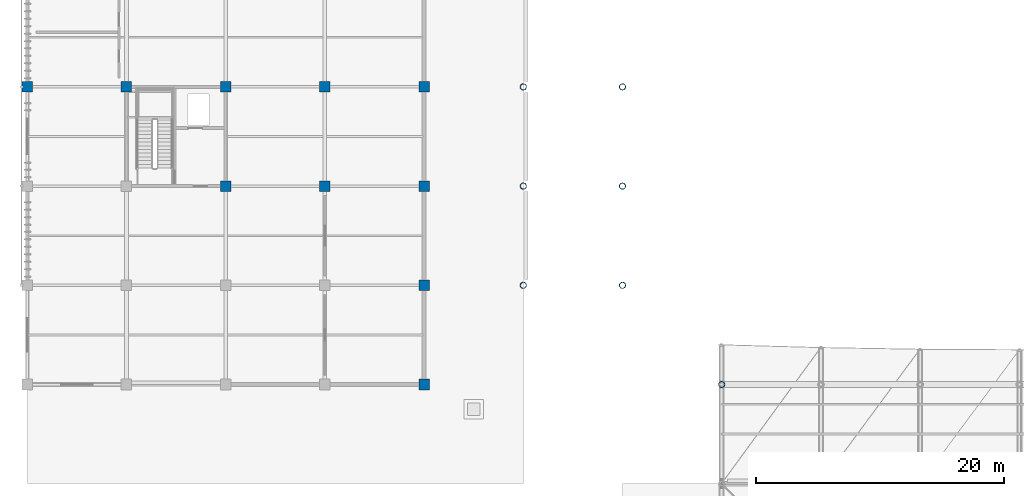
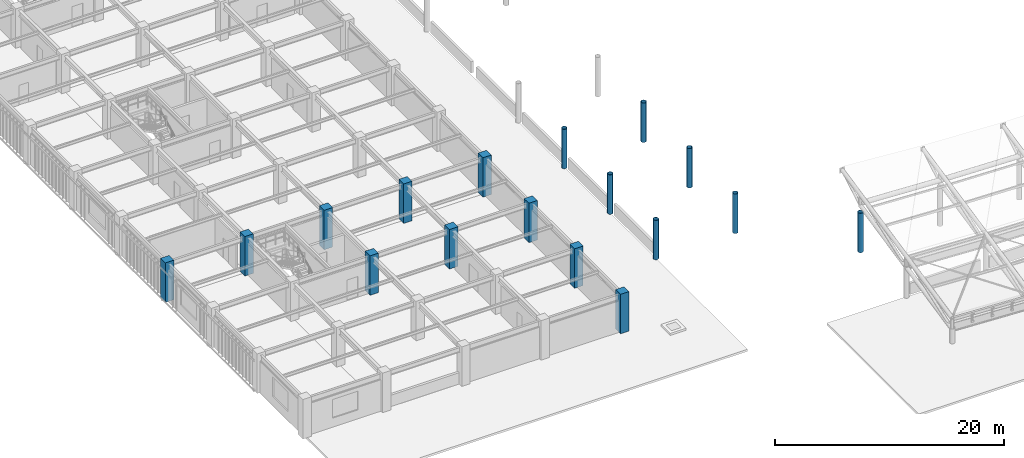
# One storey, part 2 of 78: 17 columns.
"""IFC4 building model written with IfcOpenShell, lengths in metres."""

from ifc_helpers import new_model, si_unit, direction, frame, origin, origin_2d, place, context, subcontext, project, spatial, rectangle, hollow_circle, extrude, material, material_profile, profile_set, type_object, element, save


model = new_model("IFC4")

# Units and contexts
model_context = context("Model", 3, precision=1e-05, world=origin(), true_north=direction((0.0, 1.0)))
body_context = subcontext(model_context, "Body", "Model", "MODEL_VIEW")
ifc_project = project(units=[si_unit("LENGTHUNIT", "METRE"), si_unit("AREAUNIT", "SQUARE_METRE"), si_unit("VOLUMEUNIT", "CUBIC_METRE"), si_unit("PLANEANGLEUNIT", "RADIAN"), si_unit("MASSUNIT", "GRAM", prefix="KILO")], contexts=[model_context])

# Site, building, storey
site_placement = place(None, origin())
site = spatial("IfcSite", under=ifc_project, at=site_placement, CompositionType="ELEMENT")
building_placement = place(site_placement, origin())
building = spatial("IfcBuilding", under=site, at=building_placement, Name="Haebicheon Civic Stadium", CompositionType="ELEMENT")
storey_placement = place(building_placement, frame((0.0, 0.0, 18.60009765625)))
storey = spatial("IfcBuildingStorey", under=building, at=storey_placement, Name="L05", CompositionType="ELEMENT", Elevation=18.60009765625)

# Columns
ifc_material_1 = material(Name="Concrete C40/50", Category="concrete")
ifc_material_profile_1 = material_profile(ifc_material_1, rectangle(XDim=0.85009765625, YDim=0.85009765625, at=origin_2d()), Name="RC-COL-850x850")
ifc_profile_set_1 = profile_set([ifc_material_profile_1], Name="Concrete C40/50")
column_type_1 = type_object("IfcColumnType", Name="COL-RC-850", PredefinedType="COLUMN", material=ifc_profile_set_1)
for number, where, z_axis, x_axis, name in (
    (1, (24.0, 64.0, 0.0), (0.0, 0.0, 1.0), (1.0, 0.0, 0.0), "L05 column 4/J"),
    (2, (32.0, 64.0, 0.0), (0.0, 0.0, 1.0), (1.0, 0.0, 0.0), "L05 column 5/J"),
    (3, (40.0, 56.0, 0.0), (0.0, 0.0, 1.0), (1.0, 0.0, 0.0), "L05 column 6/H"),
    (4, (40.0, 64.0, 0.0), (0.0, 0.0, 1.0), (1.0, 0.0, 0.0), "L05 column 6/J"),
    (5, (48.0, 56.0, 0.0), (0.0, 0.0, 1.0), (1.0, 0.0, 0.0), "L05 column 7/H"),
    (6, (48.0, 64.0, 0.0), (0.0, 0.0, 1.0), (1.0, 0.0, 0.0), "L05 column 7/J"),
    (7, (56.0, 40.0, 0.0), (0.0, 0.0, 1.0), (1.0, 0.0, 0.0), "L05 column 8/F"),
    (8, (56.0, 48.0, 0.0), (0.0, 0.0, 1.0), (1.0, 0.0, 0.0), "L05 column 8/G"),
    (9, (56.0, 56.0, 0.0), (0.0, 0.0, 1.0), (1.0, 0.0, 0.0), "L05 column 8/H"),
    (10, (56.0, 64.0, 0.0), (0.0, 0.0, 1.0), (1.0, 0.0, 0.0), "L05 column 8/J"),
):
    element("IfcColumn", number, at=place(storey_placement, frame(where, z_axis=z_axis, x_axis=x_axis)), inside=storey, type_object=column_type_1, material=ifc_profile_set_1, Name=name, PredefinedType="COLUMN", context=body_context, shape_type="SweptSolid", body=[
        extrude(rectangle(XDim=0.85009765625, YDim=0.85009765625, at=origin_2d()), origin(), (0.0, 0.0, 1.0), 4.199951171875),
    ])
ifc_material_2 = material(Name="White painted steel SM490", Category="steel")
ifc_material_profile_2 = material_profile(ifc_material_2, hollow_circle(Radius=0.25390625, WallThickness=0.02490234375, at=origin_2d()), Name="CHS-508.0x25.0")
ifc_profile_set_2 = profile_set([ifc_material_profile_2], Name="White painted steel SM490")
column_type_2 = type_object("IfcColumnType", Name="COL-ST-CHS508", PredefinedType="COLUMN", material=ifc_profile_set_2)
for number, where, z_axis, x_axis, name in (
    (11, (64.0, 48.0, 0.0), (0.0, 0.0, 1.0), (1.0, 0.0, 0.0), "Bowl/canopy support column 64/48 (L05)"),
    (12, (72.0, 48.0, 0.0), (0.0, 0.0, 1.0), (1.0, 0.0, 0.0), "Bowl/canopy support column 72/48 (L05)"),
    (13, (64.0, 56.0, 0.0), (0.0, 0.0, 1.0), (1.0, 0.0, 0.0), "Bowl/canopy support column 64/56 (L05)"),
    (14, (72.0, 56.0, 0.0), (0.0, 0.0, 1.0), (1.0, 0.0, 0.0), "Bowl/canopy support column 72/56 (L05)"),
    (15, (64.0, 64.0, 0.0), (0.0, 0.0, 1.0), (1.0, 0.0, 0.0), "Bowl/canopy support column 64/64 (L05)"),
    (16, (72.0, 64.0, 0.0), (0.0, 0.0, 1.0), (1.0, 0.0, 0.0), "Bowl/canopy support column 72/64 (L05)"),
    (17, (80.0, 40.0, 0.0), (0.0, 0.0, 1.0), (1.0, 0.0, 0.0), "Bowl/canopy support column 80/40 (L05)"),
):
    element("IfcColumn", number, at=place(storey_placement, frame(where, z_axis=z_axis, x_axis=x_axis)), inside=storey, type_object=column_type_2, material=ifc_profile_set_2, Name=name, PredefinedType="COLUMN", context=body_context, shape_type="SweptSolid", body=[
        extrude(hollow_circle(Radius=0.25390625, WallThickness=0.02490234375, at=origin_2d()), origin(), (0.0, 0.0, 1.0), 4.199951171875),
    ])

save(model, "model.ifc")
